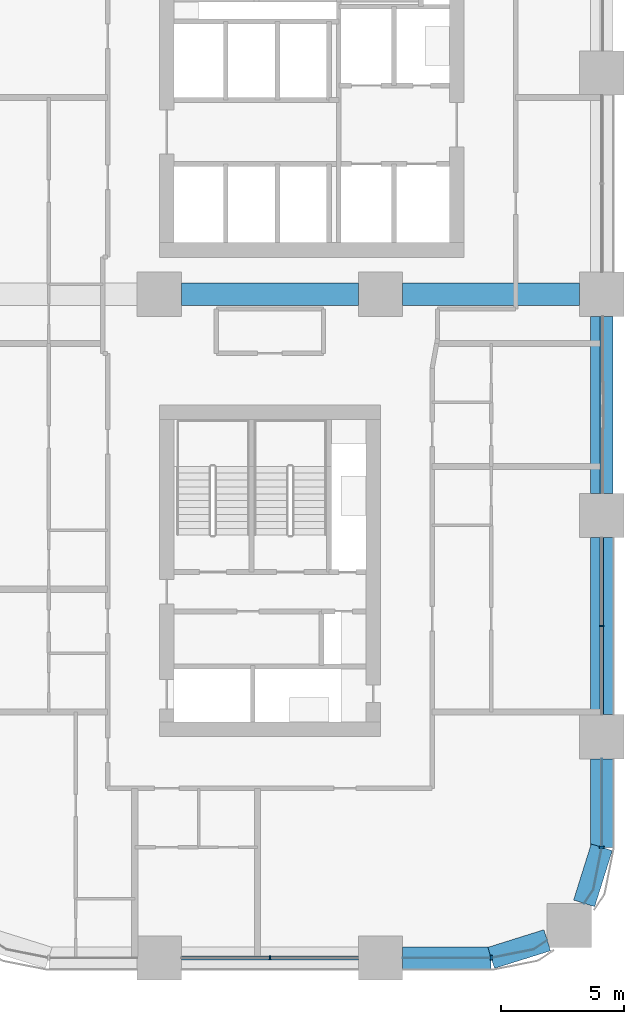
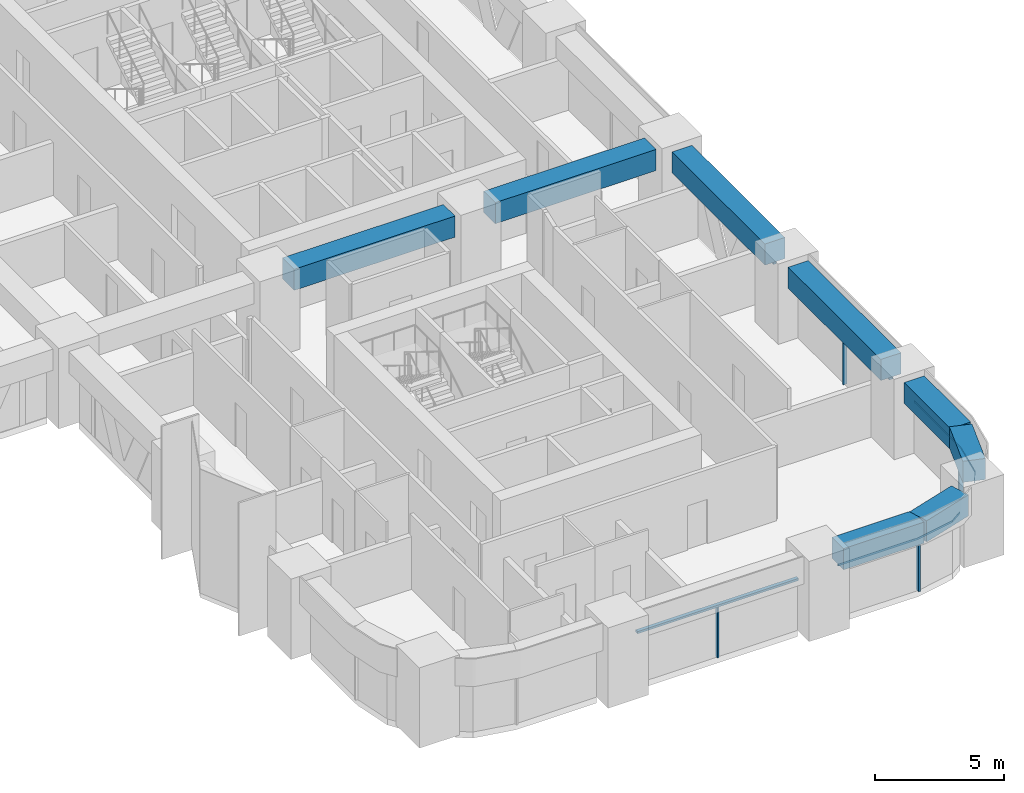
# One storey, part 5 of 19: 9 members, 8 beams, 5 elements without a shape of their own.
"""IFC4 building model written with IfcOpenShell, lengths in metres."""

import ifcopenshell
import ifcopenshell.guid

model = None  # the IFC model being written
_history = None  # IfcOwnerHistory: only IFC2X3 demands one
_inside = {}  # id of a spatial element -> (the spatial element, [elements in it])
_under = {}  # id of a project, library or spatial element -> (it, [spatial elements below it])
_declared = {}  # id of a project -> (the project, [libraries it declares])
_typed = {}  # id of a type object -> (the type object, [elements of that type])
_made_of = {}  # id of a material, layer set ... -> (it, [elements and type objects made of it])


def new_model(schema):
    """Start an empty IFC model of exactly this schema.

    Asked for "IFC4X3", IfcOpenShell would pick the latest addendum, in which some entities
    have other attributes; the version numbers below select the first issue.
    IFC2X3 requires an IfcOwnerHistory on every rooted entity: one is made here for all.
    """
    global model, _history
    if schema == "IFC4X3":
        model = ifcopenshell.file(schema_version=(4, 3, 0, 0))
    else:
        model = ifcopenshell.file(schema=schema)
    _inside.clear()
    _under.clear()
    _declared.clear()
    _typed.clear()
    _made_of.clear()
    _history = None
    if model.schema == "IFC2X3":
        org = make("IfcOrganization", Name="unknown")
        user = make(
            "IfcPersonAndOrganization",
            ThePerson=make("IfcPerson", FamilyName="unknown"),
            TheOrganization=org,
        )
        app = make(
            "IfcApplication",
            ApplicationDeveloper=org,
            Version="unknown",
            ApplicationFullName="unknown",
            ApplicationIdentifier="unknown",
        )
        _history = make(
            "IfcOwnerHistory",
            OwningUser=user,
            OwningApplication=app,
            ChangeAction="ADDED",
            CreationDate=0,
        )
    return model


def make(cls, **values):
    """One entity of the class cls with the attributes given. An attribute that is None is left unset."""
    return model.create_entity(
        cls, **{name: value for name, value in values.items() if value is not None}
    )


def rooted(cls, **values):
    """An entity with a GlobalId (a new one), such as an element, a storey or a relation."""
    return make(cls, GlobalId=ifcopenshell.guid.new(), OwnerHistory=_history, **values)


def si_unit(unit_type, name, prefix=None):
    """IfcSIUnit, for example si_unit("LENGTHUNIT", "METRE", prefix="MILLI")."""
    return make("IfcSIUnit", UnitType=unit_type, Prefix=prefix, Name=name)


def assignment(units):
    """IfcUnitAssignment: the units of a project."""
    return None if units is None else make("IfcUnitAssignment", Units=units)


def point(xyz):
    """IfcCartesianPoint."""
    return None if xyz is None else make("IfcCartesianPoint", Coordinates=xyz)


def direction(xyz):
    """IfcDirection."""
    return None if xyz is None else make("IfcDirection", DirectionRatios=xyz)


def frame(location, z_axis=None, x_axis=None):
    """IfcAxis2Placement3D, a coordinate frame: its origin and axes. An axis left out is left unset."""
    return make(
        "IfcAxis2Placement3D",
        Location=point(location),
        Axis=direction(z_axis),
        RefDirection=direction(x_axis),
    )


def frame_2d(location, x_axis=None):
    """IfcAxis2Placement2D, a coordinate frame in the plane: its origin and x axis."""
    return make(
        "IfcAxis2Placement2D", Location=point(location), RefDirection=direction(x_axis)
    )


def origin():
    """The frame at (0, 0, 0) with its axes left unset."""
    return frame((0.0, 0.0, 0.0))


def origin_2d():
    """The frame at (0, 0) in the plane with its x axis left unset."""
    return frame_2d((0.0, 0.0))


def place(relative_to, where):
    """IfcLocalPlacement: puts the frame where relative to a parent placement (None: the world)."""
    return make(
        "IfcLocalPlacement", PlacementRelTo=relative_to, RelativePlacement=where
    )


def context(
    kind, dimensions, precision=None, world=None, true_north=None, identifier=None
):
    """IfcGeometricRepresentationContext, for example the 3D "Model" context."""
    return make(
        "IfcGeometricRepresentationContext",
        ContextIdentifier=identifier,
        ContextType=kind,
        CoordinateSpaceDimension=dimensions,
        Precision=precision,
        WorldCoordinateSystem=world,
        TrueNorth=true_north,
    )


def subcontext(parent, identifier, kind, view, scale=None):
    """IfcGeometricRepresentationSubContext, for example "Body" below "Model"."""
    return make(
        "IfcGeometricRepresentationSubContext",
        ContextIdentifier=identifier,
        ContextType=kind,
        ParentContext=parent,
        TargetScale=scale,
        TargetView=view,
    )


def project(units=None, contexts=None):
    """IfcProject with its units and contexts."""
    return rooted(
        "IfcProject",
        Name="project",
        RepresentationContexts=contexts,
        UnitsInContext=assignment(units),
    )


def spatial(cls, under=None, at=None, **own):
    """A site, building, storey or space (cls), placed at a placement, below another one or the project."""
    s = rooted(cls, ObjectPlacement=at, **own)
    if under is not None:
        _under.setdefault(under.id(), (under, []))[1].append(s)
    return s


def polyline(points):
    """IfcPolyline through the points."""
    return make("IfcPolyline", Points=[point(p) for p in points])


def profile(cls, at=None, kind="AREA", **sizes):
    """A parametric profile (cls). Its sizes go by their IFC names, for example OverallWidth=200.0."""
    return make(cls, ProfileType=kind, Position=at, **sizes)


def rectangle(**sizes):
    """IfcRectangleProfileDef."""
    return profile("IfcRectangleProfileDef", **sizes)


def outline(outer, holes=None, kind="AREA"):
    """IfcArbitraryClosedProfileDef: a profile drawn as a closed curve; with holes, ...WithVoids."""
    if holes is None:
        return make("IfcArbitraryClosedProfileDef", ProfileType=kind, OuterCurve=outer)
    return make(
        "IfcArbitraryProfileDefWithVoids",
        ProfileType=kind,
        OuterCurve=outer,
        InnerCurves=holes,
    )


def extrude(swept, where, along, depth):
    """IfcExtrudedAreaSolid: the profile swept, set in the frame where, extruded along a direction by depth."""
    return make(
        "IfcExtrudedAreaSolid",
        SweptArea=swept,
        Position=where,
        ExtrudedDirection=direction(along),
        Depth=depth,
    )


def shape(context_of_items, identifier, shape_type, items):
    """IfcShapeRepresentation: the items that make up one representation, for example the "Body"."""
    return make(
        "IfcShapeRepresentation",
        ContextOfItems=context_of_items,
        RepresentationIdentifier=identifier,
        RepresentationType=shape_type,
        Items=items,
    )


def material(Name=None, Category=None):
    """IfcMaterial."""
    return make("IfcMaterial", Name=Name, Category=Category)


def material_profile(
    of_material, cross_section, Name=None, Category=None, Priority=None
):
    """IfcMaterialProfile: a cross section and its material."""
    return make(
        "IfcMaterialProfile",
        Name=Name,
        Material=of_material,
        Profile=cross_section,
        Priority=Priority,
        Category=Category,
    )


def profile_set(profiles, Name=None, composite=None):
    """IfcMaterialProfileSet."""
    return make(
        "IfcMaterialProfileSet",
        Name=Name,
        MaterialProfiles=profiles,
        CompositeProfile=composite,
    )


def made_of(thing, what):
    """Note that an element or type object is made of a material, layer set ...; save() writes the relation."""
    if what is not None:
        _made_of.setdefault(what.id(), (what, []))[1].append(thing)
    return thing


def type_object(cls, material=None, **own):
    """A type object (cls), such as IfcWallType, which elements share."""
    return made_of(rooted(cls, **own), material)


def element(
    cls,
    number,
    at=None,
    inside=None,
    cuts=None,
    type_object=None,
    material=None,
    context=None,
    identifier="Body",
    shape_type=None,
    held_by="IfcProductDefinitionShape",
    body=None,
    shapes=None,
    **own,
):
    """One element of the class cls, such as IfcWall. Its Tag is "e" and its number.

    at: its placement. inside: the storey or other place that contains it. cuts: it is an
    opening in that element (IfcRelVoidsElement). A single representation is given by context,
    identifier, shape_type and body (its items); several are given by shapes. held_by: the class
    of the entity that holds the representations. save() writes the other relations.
    """
    e = rooted(cls, Tag="e%d" % number, ObjectPlacement=at, **own)
    if body is not None:
        shapes = [shape(context, identifier, shape_type, body)]
    if shapes is not None:
        e.Representation = make(held_by, Representations=shapes)
    if inside is not None:
        _inside.setdefault(inside.id(), (inside, []))[1].append(e)
    if cuts is not None:
        rooted(
            "IfcRelVoidsElement", RelatingBuildingElement=cuts, RelatedOpeningElement=e
        )
    if type_object is not None:
        _typed.setdefault(type_object.id(), (type_object, []))[1].append(e)
    return made_of(e, material)


def aggregate(whole, parts):
    """IfcRelAggregates: a whole, such as a stair, and the parts it consists of."""
    return rooted("IfcRelAggregates", RelatingObject=whole, RelatedObjects=parts)


def save(model, path):
    """Write the relations noted so far, then the file.

    IfcRelAggregates (storeys below a building ...), IfcRelContainedInSpatialStructure (elements
    in a storey), IfcRelDefinesByType, IfcRelAssociatesMaterial and IfcRelDeclares: one each for
    every whole, place, type object, material and project.
    """
    for whole, parts in _under.values():
        aggregate(whole, parts)
    for where, things in _inside.values():
        rooted(
            "IfcRelContainedInSpatialStructure",
            RelatedElements=things,
            RelatingStructure=where,
        )
    for kind, things in _typed.values():
        rooted("IfcRelDefinesByType", RelatedObjects=things, RelatingType=kind)
    for what, things in _made_of.values():
        rooted("IfcRelAssociatesMaterial", RelatedObjects=things, RelatingMaterial=what)
    for by, libraries in _declared.values():
        rooted("IfcRelDeclares", RelatingContext=by, RelatedDefinitions=libraries)
    model.write(path)


model = new_model("IFC4")

# Units and contexts
model_context = context("Model", 3, precision=1e-05, world=origin(), true_north=direction((0.0, 1.0)))
body_context = subcontext(model_context, "Body", "Model", "MODEL_VIEW")
ifc_project = project(units=[si_unit("LENGTHUNIT", "METRE"), si_unit("AREAUNIT", "SQUARE_METRE"), si_unit("VOLUMEUNIT", "CUBIC_METRE"), si_unit("PLANEANGLEUNIT", "RADIAN"), si_unit("MASSUNIT", "GRAM", prefix="KILO")], contexts=[model_context])

# Site, building, storey
site_placement = place(None, origin())
site = spatial("IfcSite", under=ifc_project, at=site_placement, CompositionType="ELEMENT")
building_placement = place(site_placement, origin())
building = spatial("IfcBuilding", under=site, at=building_placement, Name="Tessera Arch", CompositionType="ELEMENT")
storey_placement = place(building_placement, frame((0.0, 0.0, 85.39990234375)))
storey = spatial("IfcBuildingStorey", under=building, at=storey_placement, Name="L19", CompositionType="ELEMENT", Elevation=85.39990234375)

# Curtain wall, member
ifc_material_1 = material(Name="CW1 curtain wall")
curtain_wall_type_1 = type_object("IfcCurtainWallType", Name="CW1 curtain wall", PredefinedType="NOTDEFINED", material=ifc_material_1)
curtain_wall_1_placement = place(storey_placement, origin())
curtain_wall_1 = element("IfcCurtainWall", 1, at=curtain_wall_1_placement, inside=storey, type_object=curtain_wall_type_1, Name="CW1 curtain wall S0.27/1 L19", PredefinedType="NOTDEFINED")
ifc_material_2 = material(Name="Anodised aluminium pale metal", Category="aluminium")
ifc_material_profile_1 = material_profile(ifc_material_2, rectangle(XDim=0.159912109375, YDim=0.06005859375, at=origin_2d()), Name="AL 60x160")
ifc_profile_set_1 = profile_set([ifc_material_profile_1], Name="Anodised aluminium pale metal")
member_type_1 = type_object("IfcMemberType", Name="CW1 mullion", PredefinedType="MULLION", material=ifc_profile_set_1)
member_1_placement = place(storey_placement, frame((40.5, 0.0, 0.0), z_axis=(0.0, 0.0, 1.0), x_axis=(0.0, 1.0, 0.0)))
member_1 = element("IfcMember", 2, at=member_1_placement, type_object=member_type_1, Name="CW1 mullion S0.27/1 1", PredefinedType="MULLION", context=body_context, shape_type="SweptSolid", body=[
    extrude(rectangle(XDim=0.159912109375, YDim=0.06005859375, at=origin_2d()), origin(), (0.0, 0.0, 1.0), 2.400146484375),
])

curtain_wall_2_placement = place(storey_placement, origin())
curtain_wall_2 = element("IfcCurtainWall", 3, at=curtain_wall_2_placement, inside=storey, type_object=curtain_wall_type_1, Name="CW1 curtain wall E54.0/1 L19", PredefinedType="NOTDEFINED")
member_2_placement = place(storey_placement, frame((54.0, 13.5, 0.0), z_axis=(0.0, 0.0, 1.0), x_axis=(-1.0, 0.0, 0.0)))
member_2 = element("IfcMember", 4, at=member_2_placement, type_object=member_type_1, Name="CW1 mullion E54.0/1 1", PredefinedType="MULLION", context=body_context, shape_type="SweptSolid", body=[
    extrude(rectangle(XDim=0.159912109375, YDim=0.06005859375, at=origin_2d()), origin(), (0.0, 0.0, 1.0), 2.400146484375),
])

# Member
ifc_material_3 = material(Name="Anodised aluminium pale metal", Category="aluminium")
ifc_material_profile_2 = material_profile(ifc_material_3, rectangle(XDim=0.159912109375, YDim=0.10009765625, at=origin_2d()), Name="AL 160x100")
ifc_profile_set_2 = profile_set([ifc_material_profile_2], Name="Anodised aluminium pale metal")
member_type_2 = type_object("IfcMemberType", Name="CW1 transom", PredefinedType="USERDEFINED", material=ifc_profile_set_2)
member_3_placement = place(storey_placement, frame((36.89990234375, 0.0, 2.4501953125), z_axis=(1.0, 0.0, 0.0), x_axis=(0.0, 1.0, 0.0)))
member_3 = element("IfcMember", 5, at=member_3_placement, type_object=member_type_2, Name="CW1 transom S0.27/1 1.1", ObjectType="TRANSOM", PredefinedType="USERDEFINED", context=body_context, shape_type="SweptSolid", body=[
    extrude(rectangle(XDim=0.159912109375, YDim=0.10009765625, at=origin_2d()), origin(), (0.0, 0.0, 1.0), 7.2001953125),
])

aggregate(curtain_wall_1, [member_1, member_3])

member_4_placement = place(storey_placement, frame((54.0, 9.89990234375, 2.4501953125), z_axis=(0.0, 1.0, 0.0), x_axis=(-1.0, 0.0, 0.0)))
member_4 = element("IfcMember", 6, at=member_4_placement, type_object=member_type_2, Name="CW1 transom E54.0/1 1.1", ObjectType="TRANSOM", PredefinedType="USERDEFINED", context=body_context, shape_type="SweptSolid", body=[
    extrude(rectangle(XDim=0.159912109375, YDim=0.10009765625, at=origin_2d()), origin(), (0.0, 0.0, 1.0), 7.2001953125),
])

aggregate(curtain_wall_2, [member_2, member_4])

# Curtain wall, member
ifc_material_4 = material(Name="CW2 curtain wall")
curtain_wall_type_2 = type_object("IfcCurtainWallType", Name="CW2 curtain wall", PredefinedType="NOTDEFINED", material=ifc_material_4)
curtain_wall_3_placement = place(storey_placement, origin())
curtain_wall_3 = element("IfcCurtainWall", 7, at=curtain_wall_3_placement, inside=storey, type_object=curtain_wall_type_2, Name="CW2 curtain wall S0.27/2 L19", PredefinedType="NOTDEFINED")
ifc_material_5 = material(Name="Anodised aluminium pale metal", Category="aluminium")
ifc_material_profile_3 = material_profile(ifc_material_5, rectangle(XDim=0.199951171875, YDim=0.080078125, at=origin_2d()), Name="AL 80x200")
ifc_profile_set_3 = profile_set([ifc_material_profile_3], Name="Anodised aluminium pale metal")
member_type_3 = type_object("IfcMemberType", Name="CW2 mullion", PredefinedType="MULLION", material=ifc_profile_set_3)
member_5_placement = place(storey_placement, frame((49.5, 0.0, 0.0), z_axis=(0.0, 0.0, 1.0), x_axis=(0.0, 1.0, 0.0)))
member_5 = element("IfcMember", 8, at=member_5_placement, type_object=member_type_3, Name="CW2 mullion S0.27/2 1", PredefinedType="MULLION", context=body_context, shape_type="SweptSolid", body=[
    extrude(rectangle(XDim=0.199951171875, YDim=0.080078125, at=origin_2d()), origin(), (0.0, 0.0, 1.0), 2.400146484375),
])

curtain_wall_4_placement = place(storey_placement, origin())
curtain_wall_4 = element("IfcCurtainWall", 9, at=curtain_wall_4_placement, inside=storey, type_object=curtain_wall_type_2, Name="CW2 curtain wall E54.0/0 L19", PredefinedType="NOTDEFINED")
member_6_placement = place(storey_placement, frame((54.0, 4.5, 0.0), z_axis=(0.0, 0.0, 1.0), x_axis=(-1.0, 0.0, 0.0)))
member_6 = element("IfcMember", 10, at=member_6_placement, type_object=member_type_3, Name="CW2 mullion E54.0/0 1", PredefinedType="MULLION", context=body_context, shape_type="SweptSolid", body=[
    extrude(rectangle(XDim=0.199951171875, YDim=0.080078125, at=origin_2d()), origin(), (0.0, 0.0, 1.0), 2.400146484375),
])

# Member
ifc_material_6 = material(Name="Anodised aluminium pale metal", Category="aluminium")
ifc_material_profile_4 = material_profile(ifc_material_6, rectangle(XDim=0.199951171875, YDim=0.10009765625, at=origin_2d()), Name="AL 200x100")
ifc_profile_set_4 = profile_set([ifc_material_profile_4], Name="Anodised aluminium pale metal")
member_type_4 = type_object("IfcMemberType", Name="CW2 transom", PredefinedType="USERDEFINED", material=ifc_profile_set_4)
member_7_placement = place(storey_placement, frame((0.0, 0.0, 2.400146484375)))
member_7 = element("IfcMember", 11, at=member_7_placement, type_object=member_type_4, Name="CW2 transom S0.27/2 1", ObjectType="TRANSOM", PredefinedType="USERDEFINED", context=body_context, shape_type="SweptSolid", body=[
    extrude(outline(polyline([(49.4990234375, 0.010009765625), (45.89990234375, 0.010009765625), (45.89990234375, -0.010009765625), (49.5009765625, -0.010009765625), (51.22607421875, 0.3330078125), (51.78759765625, 0.70849609375), (51.7763671875, 0.72509765625), (51.21826171875, 0.351806640625), (49.4990234375, 0.010009765625)])), origin(), (0.0, 0.0, 1.0), 0.099853515625),
])

aggregate(curtain_wall_3, [member_5, member_7])

member_8_placement = place(storey_placement, frame((0.0, 0.0, 2.400146484375)))
member_8 = element("IfcMember", 12, at=member_8_placement, type_object=member_type_4, Name="CW2 transom E54.0/0 1", ObjectType="TRANSOM", PredefinedType="USERDEFINED", context=body_context, shape_type="SweptSolid", body=[
    extrude(outline(polyline([(53.648193359375, 2.78173828125), (53.27490234375, 2.2236328125), (53.29150390625, 2.21240234375), (53.6669921875, 2.77392578125), (54.010009765625, 4.4990234375), (54.010009765625, 8.10009765625), (53.989990234375, 8.10009765625), (53.989990234375, 4.5009765625), (53.648193359375, 2.78173828125)])), origin(), (0.0, 0.0, 1.0), 0.099853515625),
])

aggregate(curtain_wall_4, [member_6, member_8])

# Curtain wall, member
ifc_material_7 = material(Name="CW3 curtain wall")
curtain_wall_type_3 = type_object("IfcCurtainWallType", Name="CW3 curtain wall", PredefinedType="NOTDEFINED", material=ifc_material_7)
curtain_wall_5_placement = place(storey_placement, origin())
curtain_wall_5 = element("IfcCurtainWall", 13, at=curtain_wall_5_placement, inside=storey, type_object=curtain_wall_type_3, Name="CW3 curtain wall E54.0/2 L19", PredefinedType="NOTDEFINED")
ifc_material_8 = material(Name="Anodised aluminium pale metal", Category="aluminium")
ifc_material_profile_5 = material_profile(ifc_material_8, rectangle(XDim=0.139892578125, YDim=0.10009765625, at=origin_2d()), Name="AL 140x100")
ifc_profile_set_5 = profile_set([ifc_material_profile_5], Name="Anodised aluminium pale metal")
member_type_5 = type_object("IfcMemberType", Name="CW3 transom", PredefinedType="USERDEFINED", material=ifc_profile_set_5)
member_9_placement = place(storey_placement, frame((54.0, 18.89990234375, 2.4501953125), z_axis=(0.0, 1.0, 0.0), x_axis=(-1.0, 0.0, 0.0)))
member_9 = element("IfcMember", 14, at=member_9_placement, type_object=member_type_5, Name="CW3 transom E54.0/2 1.1", ObjectType="TRANSOM", PredefinedType="USERDEFINED", context=body_context, shape_type="SweptSolid", body=[
    extrude(rectangle(XDim=0.139892578125, YDim=0.10009765625, at=origin_2d()), origin(), (0.0, 0.0, 1.0), 7.2001953125),
])
aggregate(curtain_wall_5, [member_9])

# Beams
ifc_material_9 = material(Name="Concrete C80/95", Category="concrete")
ifc_material_profile_6 = material_profile(ifc_material_9, rectangle(XDim=0.89990234375, YDim=1.0, at=origin_2d()), Name="RC spandrel beam 900 x 1000 Concrete C80/95")
ifc_profile_set_6 = profile_set([ifc_material_profile_6], Name="Concrete C80/95")
beam_type = type_object("IfcBeamType", Name="RC spandrel beam 900 x 1000 Concrete C80/95", PredefinedType="BEAM", material=ifc_profile_set_6)
beam_1_placement = place(storey_placement, frame((45.89990234375, 0.0, 3.0), z_axis=(1.0, 0.0, 0.0), x_axis=(0.0, 1.0, 0.0)))
element("IfcBeam", 15, at=beam_1_placement, inside=storey, type_object=beam_type, Name="Spandrel beam L19 S0.27/2.1", PredefinedType="BEAM", context=body_context, shape_type="SweptSolid", body=[
    extrude(rectangle(XDim=0.89990234375, YDim=1.0, at=origin_2d()), origin(), (0.0, 0.0, 1.0), 3.60009765625),
])
for number, where, z_axis, x_axis, name in (
    (16, (49.5, 0.0, 3.0), (0.954041251279, 0.299675309057, 0.0), (-0.299675309057, 0.954041251279, 0.0), "Spandrel beam L19 S0.27/2.2"),
    (17, (53.283203125, 2.218017578125, 3.0), (0.299675309057, 0.954041251279, 0.0), (-0.954041251279, 0.299675309057, 0.0), "Spandrel beam L19 E54.0/0.1"),
):
    element("IfcBeam", number, at=place(storey_placement, frame(where, z_axis=z_axis, x_axis=x_axis)), inside=storey, type_object=beam_type, Name=name, PredefinedType="BEAM", context=body_context, shape_type="SweptSolid", body=[
        extrude(rectangle(XDim=0.89990234375, YDim=1.0, at=origin_2d()), origin(), (0.0, 0.0, 1.0), 2.391845703125),
    ])
beam_2_placement = place(storey_placement, frame((54.0, 4.5, 3.0), z_axis=(0.0, 1.0, 0.0), x_axis=(-1.0, 0.0, 0.0)))
element("IfcBeam", 18, at=beam_2_placement, inside=storey, type_object=beam_type, Name="Spandrel beam L19 E54.0/0.2", PredefinedType="BEAM", context=body_context, shape_type="SweptSolid", body=[
    extrude(rectangle(XDim=0.89990234375, YDim=1.0, at=origin_2d()), origin(), (0.0, 0.0, 1.0), 3.60009765625),
])
for number, where, z_axis, x_axis, name in (
    (19, (54.0, 9.89990234375, 3.0), (0.0, 1.0, 0.0), (-1.0, 0.0, 0.0), "Spandrel beam L19 E54.0/1"),
    (20, (54.0, 18.89990234375, 3.0), (0.0, 1.0, 0.0), (-1.0, 0.0, 0.0), "Spandrel beam L19 E54.0/2"),
    (21, (36.89990234375, 27.0, 3.0), (1.0, 0.0, 0.0), (0.0, 1.0, 0.0), "Interface beam L19 I1C5D-C6D"),
    (22, (45.89990234375, 27.0, 3.0), (1.0, 0.0, 0.0), (0.0, 1.0, 0.0), "Interface beam L19 I1C6D-C7D"),
):
    element("IfcBeam", number, at=place(storey_placement, frame(where, z_axis=z_axis, x_axis=x_axis)), inside=storey, type_object=beam_type, Name=name, PredefinedType="BEAM", context=body_context, shape_type="SweptSolid", body=[
        extrude(rectangle(XDim=0.89990234375, YDim=1.0, at=origin_2d()), origin(), (0.0, 0.0, 1.0), 7.2001953125),
    ])

save(model, "model.ifc")
